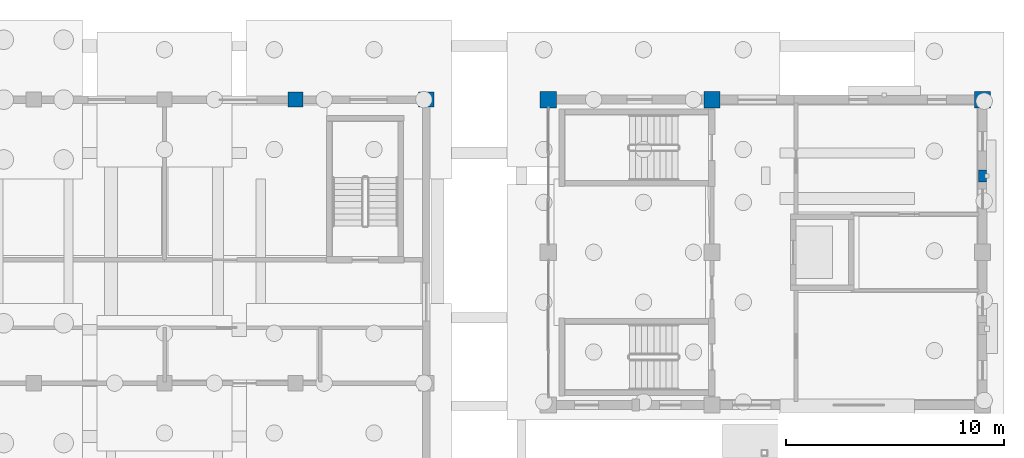
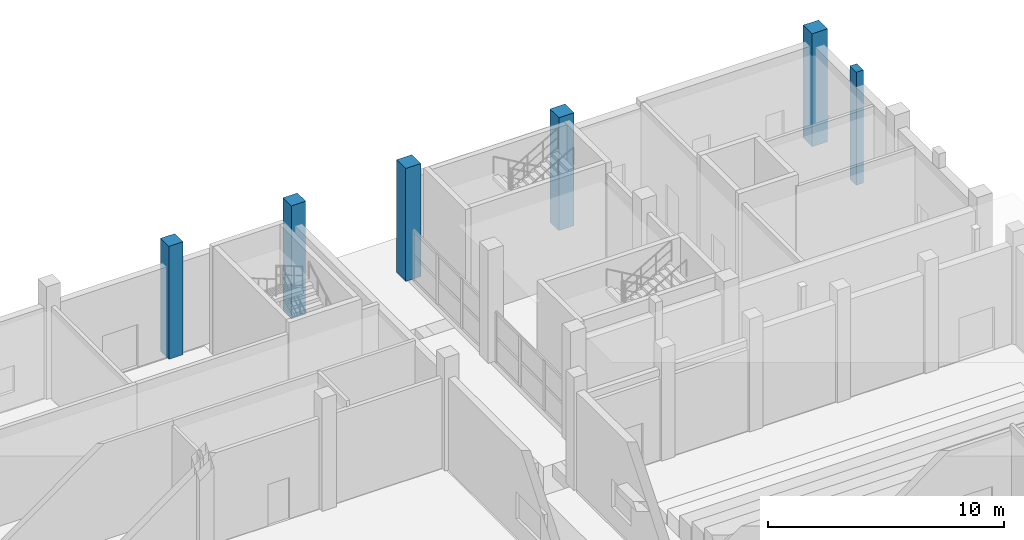
# One storey, part 13 of 60: 6 columns.
"""IFC4 building model written with IfcOpenShell, lengths in metres."""

from ifc_helpers import new_model, si_unit, direction, frame, origin, origin_2d, place, context, subcontext, project, spatial, rectangle, extrude, material, material_profile, profile_set, type_object, element, save


model = new_model("IFC4")

# Units and contexts
model_context = context("Model", 3, precision=1e-05, world=origin(), true_north=direction((0.0, 1.0)))
body_context = subcontext(model_context, "Body", "Model", "MODEL_VIEW")
ifc_project = project(units=[si_unit("LENGTHUNIT", "METRE"), si_unit("AREAUNIT", "SQUARE_METRE"), si_unit("VOLUMEUNIT", "CUBIC_METRE"), si_unit("PLANEANGLEUNIT", "RADIAN"), si_unit("MASSUNIT", "GRAM", prefix="KILO")], contexts=[model_context])

# Site, building, storey
site_placement = place(None, origin())
site = spatial("IfcSite", under=ifc_project, at=site_placement, CompositionType="ELEMENT")
building_placement = place(site_placement, origin())
building = spatial("IfcBuilding", under=site, at=building_placement, Name="Trellovar Central Fire Station", CompositionType="ELEMENT")
storey_placement = place(building_placement, origin())
storey = spatial("IfcBuildingStorey", under=building, at=storey_placement, Name="L01", CompositionType="ELEMENT", Elevation=0.0)

# Columns
ifc_material_1 = material(Name="Concrete C40/50", Category="concrete")
ifc_material_profile_1 = material_profile(ifc_material_1, rectangle(XDim=0.75, YDim=0.75, at=origin_2d()), Name="RC750X750")
ifc_profile_set_1 = profile_set([ifc_material_profile_1], Name="Concrete C40/50")
column_type_1 = type_object("IfcColumnType", Name="COL-C2", PredefinedType="COLUMN", material=ifc_profile_set_1)
for number, where, z_axis, x_axis, name in (
    (1, (141.10009765625, 73.0, 0.0), (0.0, 0.0, 1.0), (1.0, 0.0, 0.0), "L01 column C-2"),
    (2, (148.60009765625, 73.0, 0.0), (0.0, 0.0, 1.0), (1.0, 0.0, 0.0), "L01 column C-2"),
    (3, (161.0, 73.0, 0.0), (0.0, 0.0, 1.0), (1.0, 0.0, 0.0), "L01 column C-2"),
):
    element("IfcColumn", number, at=place(storey_placement, frame(where, z_axis=z_axis, x_axis=x_axis)), inside=storey, type_object=column_type_1, Name=name, PredefinedType="COLUMN", context=body_context, shape_type="SweptSolid", body=[
        extrude(rectangle(XDim=0.75, YDim=0.75, at=origin_2d()), origin(), (0.0, 0.0, 1.0), 5.85009765625),
    ])
ifc_material_2 = material(Name="Concrete C40/50", Category="concrete")
ifc_material_profile_2 = material_profile(ifc_material_2, rectangle(XDim=0.699951171875, YDim=0.699951171875, at=origin_2d()), Name="RC700X700")
ifc_profile_set_2 = profile_set([ifc_material_profile_2], Name="Concrete C40/50")
column_type_2 = type_object("IfcColumnType", Name="COL-C4", PredefinedType="COLUMN", material=ifc_profile_set_2)
for number, where, z_axis, x_axis, name in (
    (4, (129.5, 73.0, 0.0), (0.0, 0.0, 1.0), (1.0, 0.0, 0.0), "L01 column C-4"),
    (5, (135.5, 73.0, 0.0), (0.0, 0.0, 1.0), (1.0, 0.0, 0.0), "L01 column C-4"),
):
    element("IfcColumn", number, at=place(storey_placement, frame(where, z_axis=z_axis, x_axis=x_axis)), inside=storey, type_object=column_type_2, Name=name, PredefinedType="COLUMN", context=body_context, shape_type="SweptSolid", body=[
        extrude(rectangle(XDim=0.699951171875, YDim=0.699951171875, at=origin_2d()), origin(), (0.0, 0.0, 1.0), 5.85009765625),
    ])
ifc_material_3 = material(Name="Concrete C40/50", Category="concrete")
ifc_material_profile_3 = material_profile(ifc_material_3, rectangle(XDim=0.35009765625, YDim=0.550048828125, at=origin_2d()), Name="RC350X550")
ifc_profile_set_3 = profile_set([ifc_material_profile_3], Name="Concrete C40/50")
column_type_3 = type_object("IfcColumnType", Name="COL-PIL2", PredefinedType="PILASTER", material=ifc_profile_set_3)
column_placement = place(storey_placement, frame((161.0, 69.5, 0.0), z_axis=(0.0, 0.0, 1.0), x_axis=(1.0, 0.0, 0.0)))
element("IfcColumn", 6, at=column_placement, inside=storey, type_object=column_type_3, Name="V2 drill tower vertical buttress fin L01-3", PredefinedType="PILASTER", context=body_context, shape_type="SweptSolid", body=[
    extrude(rectangle(XDim=0.35009765625, YDim=0.550048828125, at=origin_2d()), origin(), (0.0, 0.0, 1.0), 5.85009765625),
])

save(model, "model.ifc")
